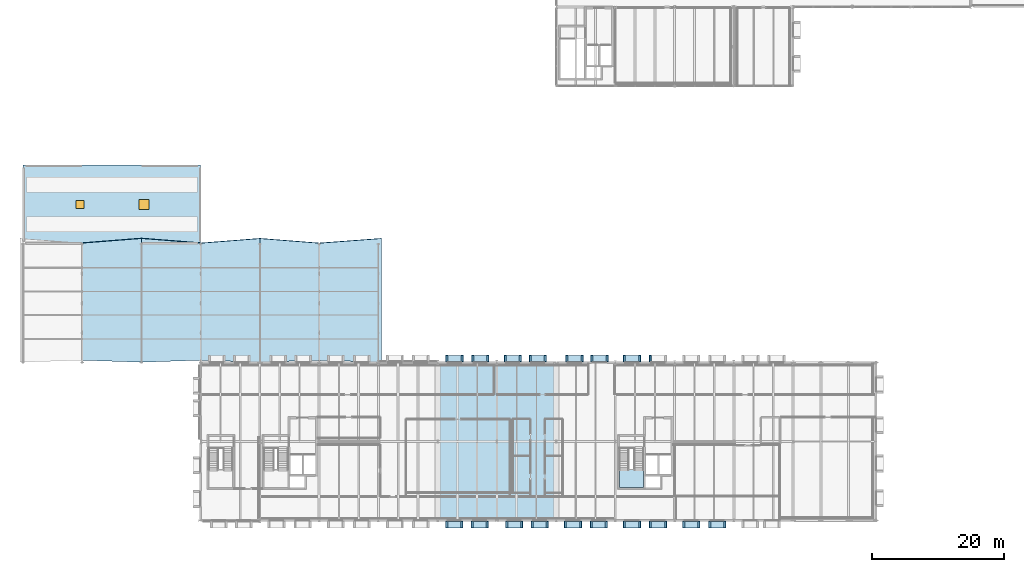
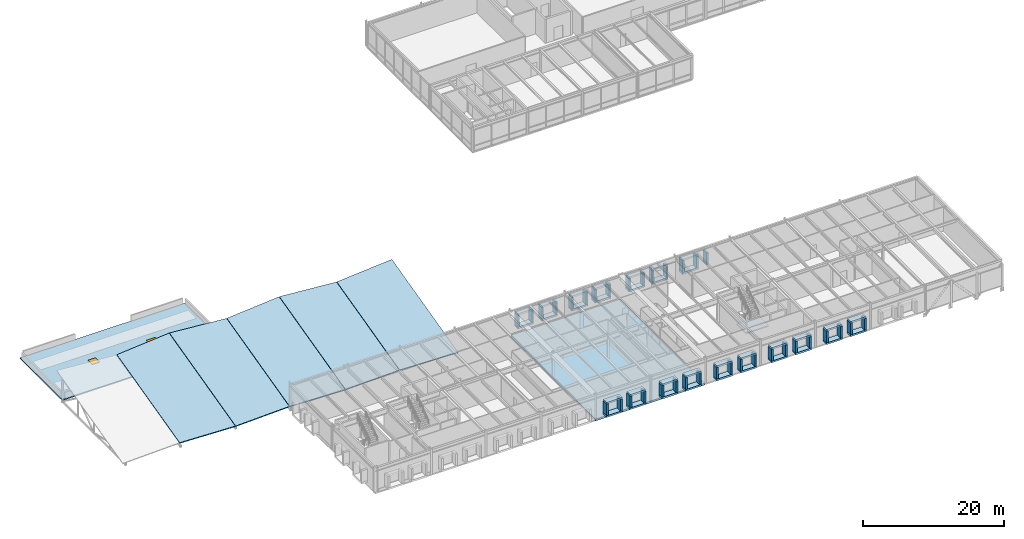
# One storey, part 42 of 67: 69 plates, 8 slabs, 2 windows, 2 openings, 2 elements without a shape of their own.
"""IFC4 building model written with IfcOpenShell, lengths in metres."""

from ifc_helpers import new_model, si_unit, direction, frame, origin, origin_2d, place, context, subcontext, project, spatial, polyline, rectangle, outline, extrude, material, layer, layer_set, type_object, element, fill, aggregate, save


model = new_model("IFC4")

# Units and contexts
model_context = context("Model", 3, precision=1e-05, world=origin(), true_north=direction((0.0, 1.0)))
body_context = subcontext(model_context, "Body", "Model", "MODEL_VIEW")
ifc_project = project(units=[si_unit("LENGTHUNIT", "METRE"), si_unit("AREAUNIT", "SQUARE_METRE"), si_unit("VOLUMEUNIT", "CUBIC_METRE"), si_unit("PLANEANGLEUNIT", "RADIAN"), si_unit("MASSUNIT", "GRAM", prefix="KILO")], contexts=[model_context])

# Site, building, storey
site_placement = place(None, origin())
site = spatial("IfcSite", under=ifc_project, at=site_placement, CompositionType="ELEMENT")
building_placement = place(site_placement, origin())
building = spatial("IfcBuilding", under=site, at=building_placement, Name="Montelvaro Courts of Justice", CompositionType="ELEMENT")
storey_placement = place(building_placement, frame((0.0, 0.0, 18.89990234375)))
storey = spatial("IfcBuildingStorey", under=building, at=storey_placement, Name="L04", CompositionType="ELEMENT", Elevation=18.89990234375)

# Slab
ifc_material_1 = material(Name="Concrete C35/45", Category="concrete")
ifc_layer_1 = layer(ifc_material_1, 0.320068359375)
ifc_layer_set_1 = layer_set([ifc_layer_1], Name="Concrete C35/45")
slab_type_1 = type_object("IfcSlabType", Name="FloorSlab_V5_320", PredefinedType="FLOOR", material=ifc_layer_set_1)
slab_1_placement = place(storey_placement, frame((0.0, 0.0, -0.31982421875)))
element("IfcSlab", 1, at=slab_1_placement, inside=storey, type_object=slab_type_1, Name="Structural Slab SF-05 L04", PredefinedType="FLOOR", context=body_context, shape_type="SweptSolid", body=[
    extrude(outline(polyline([(81.050048828125, 0.0), (98.949951171875, 0.0), (98.949951171875, 24.0), (81.050048828125, 24.0), (81.050048828125, 0.0)])), origin(), (0.0, 0.0, 1.0), 0.31982421875),
])

# Slab, openings, windows
ifc_layer_2 = layer(ifc_material_1, 0.199951171875)
ifc_layer_set_2 = layer_set([ifc_layer_2], Name="Concrete C35/45")
slab_type_2 = type_object("IfcSlabType", Name="HeadHouseRoof_200", PredefinedType="ROOF", material=ifc_layer_set_2)
slab_2_placement = place(storey_placement, frame((0.0, 0.0, -0.199951171875)))
slab_2 = element("IfcSlab", 2, at=slab_2_placement, inside=storey, type_object=slab_type_2, Name="Roof Slab SR-06 L04", PredefinedType="ROOF", context=body_context, shape_type="SweptSolid", body=[
    extrude(outline(polyline([(18.0, 42.0), (45.0, 42.0), (45.0, 54.0), (18.0, 54.0), (18.0, 42.0)])), origin(), (0.0, 0.0, 1.0), 0.199951171875),
])
opening_1_placement = place(slab_2_placement, frame((26.639892578125, 48.0, -0.014892578125)))
opening_1 = element("IfcOpeningElement", 3, at=opening_1_placement, cuts=slab_2, Name="Opening SK-01", PredefinedType="OPENING", context=body_context, shape_type="SweptSolid", body=[
    extrude(rectangle(XDim=1.199951171875, YDim=1.199951171875, at=origin_2d()), origin(), (0.0, 0.0, 1.0), 0.229736328125),
])
opening_2_placement = place(slab_2_placement, frame((36.360107421875, 48.0, -0.014892578125)))
opening_2 = element("IfcOpeningElement", 4, at=opening_2_placement, cuts=slab_2, Name="Opening SK-02", PredefinedType="OPENING", context=body_context, shape_type="SweptSolid", body=[
    extrude(rectangle(XDim=1.5, YDim=1.5, at=origin_2d()), origin(), (0.0, 0.0, 1.0), 0.229736328125),
])
ifc_material_2 = material(Name="Low-E solar control double glazing", Category="glass")
window_type_1 = type_object("IfcWindowType", Name="Skylight_120x120", PartitioningType="SINGLE_PANEL", PredefinedType="SKYLIGHT", material=ifc_material_2)
window_1_placement = place(slab_2_placement, frame((26.639892578125, 48.0, 0.14990234375)))
window_1 = element("IfcWindow", 5, at=window_1_placement, inside=storey, type_object=window_type_1, Name="Roof Skylight Hatch SK-01-3.1", OverallHeight=1.199951171875, OverallWidth=1.199951171875, PartitioningType="SINGLE_PANEL", PredefinedType="SKYLIGHT", context=body_context, shape_type="SweptSolid", body=[
    extrude(rectangle(XDim=1.199951171875, YDim=1.199951171875, at=origin_2d()), origin(), (0.0, 0.0, 1.0), 0.050048828125),
])
fill(opening_1, window_1)
window_type_2 = type_object("IfcWindowType", Name="Skylight_150x150", PartitioningType="SINGLE_PANEL", PredefinedType="SKYLIGHT", material=ifc_material_2)
window_2_placement = place(slab_2_placement, frame((36.360107421875, 48.0, 0.14990234375)))
window_2 = element("IfcWindow", 6, at=window_2_placement, inside=storey, type_object=window_type_2, Name="Roof Skylight Hatch SK-02-3.2", OverallHeight=1.5, OverallWidth=1.5, PartitioningType="SINGLE_PANEL", PredefinedType="SKYLIGHT", context=body_context, shape_type="SweptSolid", body=[
    extrude(rectangle(XDim=1.5, YDim=1.5, at=origin_2d()), origin(), (0.0, 0.0, 1.0), 0.050048828125),
])
fill(opening_2, window_2)

# Plates
ifc_material_3 = material(Name="White mineral precast concrete C45/55", Category="concrete")
ifc_layer_3 = layer(ifc_material_3, 0.300048828125)
ifc_layer_set_3 = layer_set([ifc_layer_3], Name="White mineral precast concrete C45/55")
plate_type = type_object("IfcPlateType", Name="PrecastSquareFrame_300x950", PredefinedType="SHEET", material=ifc_layer_set_3)
for number, where, z_axis, x_axis, name in (
    (7, (83.514892578125, -0.6201171875, 2.85009765625), (0.0, 0.0, 1.0), (1.0, 0.0, 0.0), "Graduated Square Window Frame PF-02 W-L04-209 TOP"),
    (8, (83.514892578125, -0.6201171875, 0.55029296875), (0.0, 0.0, 1.0), (1.0, 0.0, 0.0), "Graduated Square Window Frame PF-02 W-L04-209 BOT"),
):
    element("IfcPlate", number, at=place(storey_placement, frame(where, z_axis=z_axis, x_axis=x_axis)), inside=storey, type_object=plate_type, Name=name, PredefinedType="SHEET", context=body_context, shape_type="SweptSolid", body=[
        extrude(rectangle(XDim=2.60009765625, YDim=0.9599609375, at=origin_2d()), origin(), (0.0, 0.0, 1.0), 0.300048828125),
    ])
for number, where, z_axis, x_axis, name in (
    (9, (82.364990234375, -0.6201171875, 0.85009765625), (0.0, 0.0, 1.0), (1.0, 0.0, 0.0), "Graduated Square Window Frame PF-02 W-L04-209 L"),
    (10, (84.6650390625, -0.6201171875, 0.85009765625), (0.0, 0.0, 1.0), (1.0, 0.0, 0.0), "Graduated Square Window Frame PF-02 W-L04-209 R"),
):
    element("IfcPlate", number, at=place(storey_placement, frame(where, z_axis=z_axis, x_axis=x_axis)), inside=storey, type_object=plate_type, Name=name, PredefinedType="SHEET", context=body_context, shape_type="SweptSolid", body=[
        extrude(rectangle(XDim=0.300048828125, YDim=0.9599609375, at=origin_2d()), origin(), (0.0, 0.0, 1.0), 2.0),
    ])
for number, where, z_axis, x_axis, name in (
    (11, (87.375, -0.6201171875, 2.85009765625), (0.0, 0.0, 1.0), (1.0, 0.0, 0.0), "Graduated Square Window Frame PF-02 W-L04-210 TOP"),
    (12, (87.375, -0.6201171875, 0.55029296875), (0.0, 0.0, 1.0), (1.0, 0.0, 0.0), "Graduated Square Window Frame PF-02 W-L04-210 BOT"),
):
    element("IfcPlate", number, at=place(storey_placement, frame(where, z_axis=z_axis, x_axis=x_axis)), inside=storey, type_object=plate_type, Name=name, PredefinedType="SHEET", context=body_context, shape_type="SweptSolid", body=[
        extrude(rectangle(XDim=2.60009765625, YDim=0.9599609375, at=origin_2d()), origin(), (0.0, 0.0, 1.0), 0.300048828125),
    ])
for number, where, z_axis, x_axis, name in (
    (13, (86.22509765625, -0.6201171875, 0.85009765625), (0.0, 0.0, 1.0), (1.0, 0.0, 0.0), "Graduated Square Window Frame PF-02 W-L04-210 L"),
    (14, (88.52490234375, -0.6201171875, 0.85009765625), (0.0, 0.0, 1.0), (1.0, 0.0, 0.0), "Graduated Square Window Frame PF-02 W-L04-210 R"),
):
    element("IfcPlate", number, at=place(storey_placement, frame(where, z_axis=z_axis, x_axis=x_axis)), inside=storey, type_object=plate_type, Name=name, PredefinedType="SHEET", context=body_context, shape_type="SweptSolid", body=[
        extrude(rectangle(XDim=0.300048828125, YDim=0.9599609375, at=origin_2d()), origin(), (0.0, 0.0, 1.0), 2.0),
    ])
for number, where, z_axis, x_axis, name in (
    (15, (92.625, -0.6201171875, 2.85009765625), (0.0, 0.0, 1.0), (1.0, 0.0, 0.0), "Graduated Square Window Frame PF-02 W-L04-211 TOP"),
    (16, (92.625, -0.6201171875, 0.55029296875), (0.0, 0.0, 1.0), (1.0, 0.0, 0.0), "Graduated Square Window Frame PF-02 W-L04-211 BOT"),
):
    element("IfcPlate", number, at=place(storey_placement, frame(where, z_axis=z_axis, x_axis=x_axis)), inside=storey, type_object=plate_type, Name=name, PredefinedType="SHEET", context=body_context, shape_type="SweptSolid", body=[
        extrude(rectangle(XDim=2.60009765625, YDim=0.9599609375, at=origin_2d()), origin(), (0.0, 0.0, 1.0), 0.300048828125),
    ])
for number, where, z_axis, x_axis, name in (
    (17, (91.47509765625, -0.6201171875, 0.85009765625), (0.0, 0.0, 1.0), (1.0, 0.0, 0.0), "Graduated Square Window Frame PF-02 W-L04-211 L"),
    (18, (93.77490234375, -0.6201171875, 0.85009765625), (0.0, 0.0, 1.0), (1.0, 0.0, 0.0), "Graduated Square Window Frame PF-02 W-L04-211 R"),
):
    element("IfcPlate", number, at=place(storey_placement, frame(where, z_axis=z_axis, x_axis=x_axis)), inside=storey, type_object=plate_type, Name=name, PredefinedType="SHEET", context=body_context, shape_type="SweptSolid", body=[
        extrude(rectangle(XDim=0.300048828125, YDim=0.9599609375, at=origin_2d()), origin(), (0.0, 0.0, 1.0), 2.0),
    ])
for number, where, z_axis, x_axis, name in (
    (19, (96.485107421875, -0.6201171875, 2.85009765625), (0.0, 0.0, 1.0), (1.0, 0.0, 0.0), "Graduated Square Window Frame PF-02 W-L04-212 TOP"),
    (20, (96.485107421875, -0.6201171875, 0.55029296875), (0.0, 0.0, 1.0), (1.0, 0.0, 0.0), "Graduated Square Window Frame PF-02 W-L04-212 BOT"),
):
    element("IfcPlate", number, at=place(storey_placement, frame(where, z_axis=z_axis, x_axis=x_axis)), inside=storey, type_object=plate_type, Name=name, PredefinedType="SHEET", context=body_context, shape_type="SweptSolid", body=[
        extrude(rectangle(XDim=2.60009765625, YDim=0.9599609375, at=origin_2d()), origin(), (0.0, 0.0, 1.0), 0.300048828125),
    ])
for number, where, z_axis, x_axis, name in (
    (21, (95.3349609375, -0.6201171875, 0.85009765625), (0.0, 0.0, 1.0), (1.0, 0.0, 0.0), "Graduated Square Window Frame PF-02 W-L04-212 L"),
    (22, (97.635009765625, -0.6201171875, 0.85009765625), (0.0, 0.0, 1.0), (1.0, 0.0, 0.0), "Graduated Square Window Frame PF-02 W-L04-212 R"),
):
    element("IfcPlate", number, at=place(storey_placement, frame(where, z_axis=z_axis, x_axis=x_axis)), inside=storey, type_object=plate_type, Name=name, PredefinedType="SHEET", context=body_context, shape_type="SweptSolid", body=[
        extrude(rectangle(XDim=0.300048828125, YDim=0.9599609375, at=origin_2d()), origin(), (0.0, 0.0, 1.0), 2.0),
    ])
for number, where, z_axis, x_axis, name in (
    (23, (96.214111328125, 24.6201171875, 2.85009765625), (0.0, 0.0, 1.0), (-1.0, 0.0, 0.0), "Graduated Square Window Frame PF-02 W-L04-213 TOP"),
    (24, (96.214111328125, 24.6201171875, 0.55029296875), (0.0, 0.0, 1.0), (-1.0, 0.0, 0.0), "Graduated Square Window Frame PF-02 W-L04-213 BOT"),
):
    element("IfcPlate", number, at=place(storey_placement, frame(where, z_axis=z_axis, x_axis=x_axis)), inside=storey, type_object=plate_type, Name=name, PredefinedType="SHEET", context=body_context, shape_type="SweptSolid", body=[
        extrude(rectangle(XDim=2.60009765625, YDim=0.9599609375, at=origin_2d()), origin(), (0.0, 0.0, 1.0), 0.300048828125),
    ])
for number, where, z_axis, x_axis, name in (
    (25, (97.364013671875, 24.6201171875, 0.85009765625), (0.0, 0.0, 1.0), (-1.0, 0.0, 0.0), "Graduated Square Window Frame PF-02 W-L04-213 L"),
    (26, (95.06396484375, 24.6201171875, 0.85009765625), (0.0, 0.0, 1.0), (-1.0, 0.0, 0.0), "Graduated Square Window Frame PF-02 W-L04-213 R"),
):
    element("IfcPlate", number, at=place(storey_placement, frame(where, z_axis=z_axis, x_axis=x_axis)), inside=storey, type_object=plate_type, Name=name, PredefinedType="SHEET", context=body_context, shape_type="SweptSolid", body=[
        extrude(rectangle(XDim=0.300048828125, YDim=0.9599609375, at=origin_2d()), origin(), (0.0, 0.0, 1.0), 2.0),
    ])
for number, where, z_axis, x_axis, name in (
    (27, (92.4208984375, 24.6201171875, 2.85009765625), (0.0, 0.0, 1.0), (-1.0, 0.0, 0.0), "Graduated Square Window Frame PF-02 W-L04-214 TOP"),
    (28, (92.4208984375, 24.6201171875, 0.55029296875), (0.0, 0.0, 1.0), (-1.0, 0.0, 0.0), "Graduated Square Window Frame PF-02 W-L04-214 BOT"),
):
    element("IfcPlate", number, at=place(storey_placement, frame(where, z_axis=z_axis, x_axis=x_axis)), inside=storey, type_object=plate_type, Name=name, PredefinedType="SHEET", context=body_context, shape_type="SweptSolid", body=[
        extrude(rectangle(XDim=2.60009765625, YDim=0.9599609375, at=origin_2d()), origin(), (0.0, 0.0, 1.0), 0.300048828125),
    ])
for number, where, z_axis, x_axis, name in (
    (29, (93.571044921875, 24.6201171875, 0.85009765625), (0.0, 0.0, 1.0), (-1.0, 0.0, 0.0), "Graduated Square Window Frame PF-02 W-L04-214 L"),
    (30, (91.27099609375, 24.6201171875, 0.85009765625), (0.0, 0.0, 1.0), (-1.0, 0.0, 0.0), "Graduated Square Window Frame PF-02 W-L04-214 R"),
):
    element("IfcPlate", number, at=place(storey_placement, frame(where, z_axis=z_axis, x_axis=x_axis)), inside=storey, type_object=plate_type, Name=name, PredefinedType="SHEET", context=body_context, shape_type="SweptSolid", body=[
        extrude(rectangle(XDim=0.300048828125, YDim=0.9599609375, at=origin_2d()), origin(), (0.0, 0.0, 1.0), 2.0),
    ])
for number, where, z_axis, x_axis, name in (
    (31, (87.489990234375, 24.6201171875, 2.85009765625), (0.0, 0.0, 1.0), (-1.0, 0.0, 0.0), "Graduated Square Window Frame PF-02 W-L04-215 TOP"),
    (32, (87.489990234375, 24.6201171875, 0.55029296875), (0.0, 0.0, 1.0), (-1.0, 0.0, 0.0), "Graduated Square Window Frame PF-02 W-L04-215 BOT"),
):
    element("IfcPlate", number, at=place(storey_placement, frame(where, z_axis=z_axis, x_axis=x_axis)), inside=storey, type_object=plate_type, Name=name, PredefinedType="SHEET", context=body_context, shape_type="SweptSolid", body=[
        extrude(rectangle(XDim=2.60009765625, YDim=0.9599609375, at=origin_2d()), origin(), (0.0, 0.0, 1.0), 0.300048828125),
    ])
for number, where, z_axis, x_axis, name in (
    (33, (88.639892578125, 24.6201171875, 0.85009765625), (0.0, 0.0, 1.0), (-1.0, 0.0, 0.0), "Graduated Square Window Frame PF-02 W-L04-215 L"),
    (34, (86.340087890625, 24.6201171875, 0.85009765625), (0.0, 0.0, 1.0), (-1.0, 0.0, 0.0), "Graduated Square Window Frame PF-02 W-L04-215 R"),
):
    element("IfcPlate", number, at=place(storey_placement, frame(where, z_axis=z_axis, x_axis=x_axis)), inside=storey, type_object=plate_type, Name=name, PredefinedType="SHEET", context=body_context, shape_type="SweptSolid", body=[
        extrude(rectangle(XDim=0.300048828125, YDim=0.9599609375, at=origin_2d()), origin(), (0.0, 0.0, 1.0), 2.0),
    ])
for number, where, z_axis, x_axis, name in (
    (35, (83.56005859375, 24.6201171875, 2.85009765625), (0.0, 0.0, 1.0), (-1.0, 0.0, 0.0), "Graduated Square Window Frame PF-02 W-L04-216 TOP"),
    (36, (83.56005859375, 24.6201171875, 0.55029296875), (0.0, 0.0, 1.0), (-1.0, 0.0, 0.0), "Graduated Square Window Frame PF-02 W-L04-216 BOT"),
):
    element("IfcPlate", number, at=place(storey_placement, frame(where, z_axis=z_axis, x_axis=x_axis)), inside=storey, type_object=plate_type, Name=name, PredefinedType="SHEET", context=body_context, shape_type="SweptSolid", body=[
        extrude(rectangle(XDim=2.60009765625, YDim=0.9599609375, at=origin_2d()), origin(), (0.0, 0.0, 1.0), 0.300048828125),
    ])
for number, where, z_axis, x_axis, name in (
    (37, (84.7099609375, 24.6201171875, 0.85009765625), (0.0, 0.0, 1.0), (-1.0, 0.0, 0.0), "Graduated Square Window Frame PF-02 W-L04-216 L"),
    (38, (82.409912109375, 24.6201171875, 0.85009765625), (0.0, 0.0, 1.0), (-1.0, 0.0, 0.0), "Graduated Square Window Frame PF-02 W-L04-216 R"),
):
    element("IfcPlate", number, at=place(storey_placement, frame(where, z_axis=z_axis, x_axis=x_axis)), inside=storey, type_object=plate_type, Name=name, PredefinedType="SHEET", context=body_context, shape_type="SweptSolid", body=[
        extrude(rectangle(XDim=0.300048828125, YDim=0.9599609375, at=origin_2d()), origin(), (0.0, 0.0, 1.0), 2.0),
    ])
for number, where, z_axis, x_axis, name in (
    (39, (101.56005859375, -0.6201171875, 2.85009765625), (0.0, 0.0, 1.0), (1.0, 0.0, 0.0), "Graduated Square Window Frame PF-02 W-L04-217 TOP"),
    (40, (101.56005859375, -0.6201171875, 0.55029296875), (0.0, 0.0, 1.0), (1.0, 0.0, 0.0), "Graduated Square Window Frame PF-02 W-L04-217 BOT"),
):
    element("IfcPlate", number, at=place(storey_placement, frame(where, z_axis=z_axis, x_axis=x_axis)), inside=storey, type_object=plate_type, Name=name, PredefinedType="SHEET", context=body_context, shape_type="SweptSolid", body=[
        extrude(rectangle(XDim=2.60009765625, YDim=0.9599609375, at=origin_2d()), origin(), (0.0, 0.0, 1.0), 0.300048828125),
    ])
for number, where, z_axis, x_axis, name in (
    (41, (100.409912109375, -0.6201171875, 0.85009765625), (0.0, 0.0, 1.0), (1.0, 0.0, 0.0), "Graduated Square Window Frame PF-02 W-L04-217 L"),
    (42, (102.7099609375, -0.6201171875, 0.85009765625), (0.0, 0.0, 1.0), (1.0, 0.0, 0.0), "Graduated Square Window Frame PF-02 W-L04-217 R"),
):
    element("IfcPlate", number, at=place(storey_placement, frame(where, z_axis=z_axis, x_axis=x_axis)), inside=storey, type_object=plate_type, Name=name, PredefinedType="SHEET", context=body_context, shape_type="SweptSolid", body=[
        extrude(rectangle(XDim=0.300048828125, YDim=0.9599609375, at=origin_2d()), origin(), (0.0, 0.0, 1.0), 2.0),
    ])
for number, where, z_axis, x_axis, name in (
    (43, (105.489990234375, -0.6201171875, 2.85009765625), (0.0, 0.0, 1.0), (1.0, 0.0, 0.0), "Graduated Square Window Frame PF-02 W-L04-218 TOP"),
    (44, (105.489990234375, -0.6201171875, 0.55029296875), (0.0, 0.0, 1.0), (1.0, 0.0, 0.0), "Graduated Square Window Frame PF-02 W-L04-218 BOT"),
):
    element("IfcPlate", number, at=place(storey_placement, frame(where, z_axis=z_axis, x_axis=x_axis)), inside=storey, type_object=plate_type, Name=name, PredefinedType="SHEET", context=body_context, shape_type="SweptSolid", body=[
        extrude(rectangle(XDim=2.60009765625, YDim=0.9599609375, at=origin_2d()), origin(), (0.0, 0.0, 1.0), 0.300048828125),
    ])
for number, where, z_axis, x_axis, name in (
    (45, (104.340087890625, -0.6201171875, 0.85009765625), (0.0, 0.0, 1.0), (1.0, 0.0, 0.0), "Graduated Square Window Frame PF-02 W-L04-218 L"),
    (46, (106.639892578125, -0.6201171875, 0.85009765625), (0.0, 0.0, 1.0), (1.0, 0.0, 0.0), "Graduated Square Window Frame PF-02 W-L04-218 R"),
):
    element("IfcPlate", number, at=place(storey_placement, frame(where, z_axis=z_axis, x_axis=x_axis)), inside=storey, type_object=plate_type, Name=name, PredefinedType="SHEET", context=body_context, shape_type="SweptSolid", body=[
        extrude(rectangle(XDim=0.300048828125, YDim=0.9599609375, at=origin_2d()), origin(), (0.0, 0.0, 1.0), 2.0),
    ])
for number, where, z_axis, x_axis, name in (
    (47, (110.52392578125, -0.6201171875, 2.85009765625), (0.0, 0.0, 1.0), (1.0, 0.0, 0.0), "Graduated Square Window Frame PF-02 W-L04-219 TOP"),
    (48, (110.52392578125, -0.6201171875, 0.55029296875), (0.0, 0.0, 1.0), (1.0, 0.0, 0.0), "Graduated Square Window Frame PF-02 W-L04-219 BOT"),
):
    element("IfcPlate", number, at=place(storey_placement, frame(where, z_axis=z_axis, x_axis=x_axis)), inside=storey, type_object=plate_type, Name=name, PredefinedType="SHEET", context=body_context, shape_type="SweptSolid", body=[
        extrude(rectangle(XDim=2.60009765625, YDim=0.9599609375, at=origin_2d()), origin(), (0.0, 0.0, 1.0), 0.300048828125),
    ])
for number, where, z_axis, x_axis, name in (
    (49, (109.3740234375, -0.6201171875, 0.85009765625), (0.0, 0.0, 1.0), (1.0, 0.0, 0.0), "Graduated Square Window Frame PF-02 W-L04-219 L"),
    (50, (111.674072265625, -0.6201171875, 0.85009765625), (0.0, 0.0, 1.0), (1.0, 0.0, 0.0), "Graduated Square Window Frame PF-02 W-L04-219 R"),
):
    element("IfcPlate", number, at=place(storey_placement, frame(where, z_axis=z_axis, x_axis=x_axis)), inside=storey, type_object=plate_type, Name=name, PredefinedType="SHEET", context=body_context, shape_type="SweptSolid", body=[
        extrude(rectangle(XDim=0.300048828125, YDim=0.9599609375, at=origin_2d()), origin(), (0.0, 0.0, 1.0), 2.0),
    ])
for number, where, z_axis, x_axis, name in (
    (51, (114.47607421875, -0.6201171875, 2.85009765625), (0.0, 0.0, 1.0), (1.0, 0.0, 0.0), "Graduated Square Window Frame PF-02 W-L04-220 TOP"),
    (52, (114.47607421875, -0.6201171875, 0.55029296875), (0.0, 0.0, 1.0), (1.0, 0.0, 0.0), "Graduated Square Window Frame PF-02 W-L04-220 BOT"),
):
    element("IfcPlate", number, at=place(storey_placement, frame(where, z_axis=z_axis, x_axis=x_axis)), inside=storey, type_object=plate_type, Name=name, PredefinedType="SHEET", context=body_context, shape_type="SweptSolid", body=[
        extrude(rectangle(XDim=2.60009765625, YDim=0.9599609375, at=origin_2d()), origin(), (0.0, 0.0, 1.0), 0.300048828125),
    ])
for number, where, z_axis, x_axis, name in (
    (53, (113.325927734375, -0.6201171875, 0.85009765625), (0.0, 0.0, 1.0), (1.0, 0.0, 0.0), "Graduated Square Window Frame PF-02 W-L04-220 L"),
    (54, (115.6259765625, -0.6201171875, 0.85009765625), (0.0, 0.0, 1.0), (1.0, 0.0, 0.0), "Graduated Square Window Frame PF-02 W-L04-220 R"),
):
    element("IfcPlate", number, at=place(storey_placement, frame(where, z_axis=z_axis, x_axis=x_axis)), inside=storey, type_object=plate_type, Name=name, PredefinedType="SHEET", context=body_context, shape_type="SweptSolid", body=[
        extrude(rectangle(XDim=0.300048828125, YDim=0.9599609375, at=origin_2d()), origin(), (0.0, 0.0, 1.0), 2.0),
    ])
for number, where, z_axis, x_axis, name in (
    (55, (119.52392578125, -0.6201171875, 2.85009765625), (0.0, 0.0, 1.0), (1.0, 0.0, 0.0), "Graduated Square Window Frame PF-02 W-L04-221 TOP"),
    (56, (119.52392578125, -0.6201171875, 0.55029296875), (0.0, 0.0, 1.0), (1.0, 0.0, 0.0), "Graduated Square Window Frame PF-02 W-L04-221 BOT"),
):
    element("IfcPlate", number, at=place(storey_placement, frame(where, z_axis=z_axis, x_axis=x_axis)), inside=storey, type_object=plate_type, Name=name, PredefinedType="SHEET", context=body_context, shape_type="SweptSolid", body=[
        extrude(rectangle(XDim=2.60009765625, YDim=0.9599609375, at=origin_2d()), origin(), (0.0, 0.0, 1.0), 0.300048828125),
    ])
for number, where, z_axis, x_axis, name in (
    (57, (118.3740234375, -0.6201171875, 0.85009765625), (0.0, 0.0, 1.0), (1.0, 0.0, 0.0), "Graduated Square Window Frame PF-02 W-L04-221 L"),
    (58, (120.674072265625, -0.6201171875, 0.85009765625), (0.0, 0.0, 1.0), (1.0, 0.0, 0.0), "Graduated Square Window Frame PF-02 W-L04-221 R"),
):
    element("IfcPlate", number, at=place(storey_placement, frame(where, z_axis=z_axis, x_axis=x_axis)), inside=storey, type_object=plate_type, Name=name, PredefinedType="SHEET", context=body_context, shape_type="SweptSolid", body=[
        extrude(rectangle(XDim=0.300048828125, YDim=0.9599609375, at=origin_2d()), origin(), (0.0, 0.0, 1.0), 2.0),
    ])
for number, where, z_axis, x_axis, name in (
    (59, (123.47607421875, -0.6201171875, 2.85009765625), (0.0, 0.0, 1.0), (1.0, 0.0, 0.0), "Graduated Square Window Frame PF-02 W-L04-222 TOP"),
    (60, (123.47607421875, -0.6201171875, 0.55029296875), (0.0, 0.0, 1.0), (1.0, 0.0, 0.0), "Graduated Square Window Frame PF-02 W-L04-222 BOT"),
):
    element("IfcPlate", number, at=place(storey_placement, frame(where, z_axis=z_axis, x_axis=x_axis)), inside=storey, type_object=plate_type, Name=name, PredefinedType="SHEET", context=body_context, shape_type="SweptSolid", body=[
        extrude(rectangle(XDim=2.60009765625, YDim=0.9599609375, at=origin_2d()), origin(), (0.0, 0.0, 1.0), 0.300048828125),
    ])
for number, where, z_axis, x_axis, name in (
    (61, (122.325927734375, -0.6201171875, 0.85009765625), (0.0, 0.0, 1.0), (1.0, 0.0, 0.0), "Graduated Square Window Frame PF-02 W-L04-222 L"),
    (62, (124.6259765625, -0.6201171875, 0.85009765625), (0.0, 0.0, 1.0), (1.0, 0.0, 0.0), "Graduated Square Window Frame PF-02 W-L04-222 R"),
    (63, (113.325927734375, 24.6201171875, 0.85009765625), (0.0, 0.0, 1.0), (-1.0, 0.0, 0.0), "Graduated Square Window Frame PF-02 W-L04-233 R"),
):
    element("IfcPlate", number, at=place(storey_placement, frame(where, z_axis=z_axis, x_axis=x_axis)), inside=storey, type_object=plate_type, Name=name, PredefinedType="SHEET", context=body_context, shape_type="SweptSolid", body=[
        extrude(rectangle(XDim=0.300048828125, YDim=0.9599609375, at=origin_2d()), origin(), (0.0, 0.0, 1.0), 2.0),
    ])
for number, where, z_axis, x_axis, name in (
    (64, (110.52392578125, 24.6201171875, 2.85009765625), (0.0, 0.0, 1.0), (-1.0, 0.0, 0.0), "Graduated Square Window Frame PF-02 W-L04-234 TOP"),
    (65, (110.52392578125, 24.6201171875, 0.55029296875), (0.0, 0.0, 1.0), (-1.0, 0.0, 0.0), "Graduated Square Window Frame PF-02 W-L04-234 BOT"),
):
    element("IfcPlate", number, at=place(storey_placement, frame(where, z_axis=z_axis, x_axis=x_axis)), inside=storey, type_object=plate_type, Name=name, PredefinedType="SHEET", context=body_context, shape_type="SweptSolid", body=[
        extrude(rectangle(XDim=2.60009765625, YDim=0.9599609375, at=origin_2d()), origin(), (0.0, 0.0, 1.0), 0.300048828125),
    ])
for number, where, z_axis, x_axis, name in (
    (66, (111.674072265625, 24.6201171875, 0.85009765625), (0.0, 0.0, 1.0), (-1.0, 0.0, 0.0), "Graduated Square Window Frame PF-02 W-L04-234 L"),
    (67, (109.3740234375, 24.6201171875, 0.85009765625), (0.0, 0.0, 1.0), (-1.0, 0.0, 0.0), "Graduated Square Window Frame PF-02 W-L04-234 R"),
):
    element("IfcPlate", number, at=place(storey_placement, frame(where, z_axis=z_axis, x_axis=x_axis)), inside=storey, type_object=plate_type, Name=name, PredefinedType="SHEET", context=body_context, shape_type="SweptSolid", body=[
        extrude(rectangle(XDim=0.300048828125, YDim=0.9599609375, at=origin_2d()), origin(), (0.0, 0.0, 1.0), 2.0),
    ])
for number, where, z_axis, x_axis, name in (
    (68, (105.5791015625, 24.6201171875, 2.85009765625), (0.0, 0.0, 1.0), (-1.0, 0.0, 0.0), "Graduated Square Window Frame PF-02 W-L04-235 TOP"),
    (69, (105.5791015625, 24.6201171875, 0.55029296875), (0.0, 0.0, 1.0), (-1.0, 0.0, 0.0), "Graduated Square Window Frame PF-02 W-L04-235 BOT"),
):
    element("IfcPlate", number, at=place(storey_placement, frame(where, z_axis=z_axis, x_axis=x_axis)), inside=storey, type_object=plate_type, Name=name, PredefinedType="SHEET", context=body_context, shape_type="SweptSolid", body=[
        extrude(rectangle(XDim=2.60009765625, YDim=0.9599609375, at=origin_2d()), origin(), (0.0, 0.0, 1.0), 0.300048828125),
    ])
for number, where, z_axis, x_axis, name in (
    (70, (106.72900390625, 24.6201171875, 0.85009765625), (0.0, 0.0, 1.0), (-1.0, 0.0, 0.0), "Graduated Square Window Frame PF-02 W-L04-235 L"),
    (71, (104.428955078125, 24.6201171875, 0.85009765625), (0.0, 0.0, 1.0), (-1.0, 0.0, 0.0), "Graduated Square Window Frame PF-02 W-L04-235 R"),
):
    element("IfcPlate", number, at=place(storey_placement, frame(where, z_axis=z_axis, x_axis=x_axis)), inside=storey, type_object=plate_type, Name=name, PredefinedType="SHEET", context=body_context, shape_type="SweptSolid", body=[
        extrude(rectangle(XDim=0.300048828125, YDim=0.9599609375, at=origin_2d()), origin(), (0.0, 0.0, 1.0), 2.0),
    ])
for number, where, z_axis, x_axis, name in (
    (72, (101.785888671875, 24.6201171875, 2.85009765625), (0.0, 0.0, 1.0), (-1.0, 0.0, 0.0), "Graduated Square Window Frame PF-02 W-L04-236 TOP"),
    (73, (101.785888671875, 24.6201171875, 0.55029296875), (0.0, 0.0, 1.0), (-1.0, 0.0, 0.0), "Graduated Square Window Frame PF-02 W-L04-236 BOT"),
):
    element("IfcPlate", number, at=place(storey_placement, frame(where, z_axis=z_axis, x_axis=x_axis)), inside=storey, type_object=plate_type, Name=name, PredefinedType="SHEET", context=body_context, shape_type="SweptSolid", body=[
        extrude(rectangle(XDim=2.60009765625, YDim=0.9599609375, at=origin_2d()), origin(), (0.0, 0.0, 1.0), 0.300048828125),
    ])
for number, where, z_axis, x_axis, name in (
    (74, (102.93603515625, 24.6201171875, 0.85009765625), (0.0, 0.0, 1.0), (-1.0, 0.0, 0.0), "Graduated Square Window Frame PF-02 W-L04-236 L"),
    (75, (100.635986328125, 24.6201171875, 0.85009765625), (0.0, 0.0, 1.0), (-1.0, 0.0, 0.0), "Graduated Square Window Frame PF-02 W-L04-236 R"),
):
    element("IfcPlate", number, at=place(storey_placement, frame(where, z_axis=z_axis, x_axis=x_axis)), inside=storey, type_object=plate_type, Name=name, PredefinedType="SHEET", context=body_context, shape_type="SweptSolid", body=[
        extrude(rectangle(XDim=0.300048828125, YDim=0.9599609375, at=origin_2d()), origin(), (0.0, 0.0, 1.0), 2.0),
    ])

# Roof, slabs
ifc_material_4 = material(Name="Precast concrete C45/55", Category="concrete")
ifc_layer_4 = layer(ifc_material_4, 0.199951171875)
ifc_layer_set_4 = layer_set([ifc_layer_4], Name="Precast concrete C45/55")
roof_type = type_object("IfcRoofType", Name="GableNorthLightRoof", PredefinedType="GABLE_ROOF", material=ifc_layer_set_4)
roof_placement = place(storey_placement, origin())
roof = element("IfcRoof", 76, at=roof_placement, inside=storey, type_object=roof_type, Name="Law Library Raked North-Light Reading Roof V3", PredefinedType="GABLE_ROOF")
ifc_layer_5 = layer(ifc_material_4, 0.179931640625)
ifc_layer_set_5 = layer_set([ifc_layer_5], Name="Precast concrete C45/55")
slab_type_3 = type_object("IfcSlabType", Name="RoofSlab_V3_180", PredefinedType="ROOF", material=ifc_layer_set_5)
slab_3_placement = place(storey_placement, frame((27.02001953125, 24.35009765625, 0.087646484375), z_axis=(-3.340427e-06, -0.242534102359, 0.970142880808), x_axis=(0.999404829829, -0.033467028476, -0.008363260125)))
slab_3 = element("IfcSlab", 77, at=slab_3_placement, type_object=slab_type_3, Name="V3 Raked Clerestory Roof Slab 2", PredefinedType="ROOF", context=body_context, shape_type="SweptSolid", body=[
    extrude(outline(polyline([(0.0, 0.0), (8.965296814836709, -6.938893903907228e-18), (8.296808131125585, 19.367098384549355), (-0.6329226695423639, 18.33669875519497), (0.0, 0.0)])), origin(), (0.0, 0.0, -1.0), 0.179931640625),
])
slab_4_placement = place(storey_placement, frame((36.02001953125, 24.050048828125, 0.0126953125), z_axis=(3.340427e-06, -0.242534102359, 0.970142880808), x_axis=(0.999404829829, 0.033467028476, 0.008363260125)))
slab_4 = element("IfcSlab", 78, at=slab_4_placement, type_object=slab_type_3, Name="V3 Raked Clerestory Roof Slab 3", PredefinedType="ROOF", context=body_context, shape_type="SweptSolid", body=[
    extrude(outline(polyline([(0.0, 0.0), (8.965296814836709, 6.938893903907228e-18), (9.598219484379072, 18.336698755194966), (0.6684886837111227, 19.367098384549355), (0.0, 0.0)])), origin(), (0.0, 0.0, -1.0), 0.179931640625),
])
slab_5_placement = place(storey_placement, frame((45.02001953125, 24.35009765625, 0.087646484375), z_axis=(-3.340427e-06, -0.242534102359, 0.970142880808), x_axis=(0.999404829829, -0.033467028476, -0.008363260125)))
slab_5 = element("IfcSlab", 79, at=slab_5_placement, type_object=slab_type_3, Name="V3 Raked Clerestory Roof Slab 4", PredefinedType="ROOF", context=body_context, shape_type="SweptSolid", body=[
    extrude(outline(polyline([(0.0, 0.0), (8.965296814836709, -6.938893903907228e-18), (8.296808131125585, 19.367098384549355), (-0.6329226695423639, 18.33669875519497), (0.0, 0.0)])), origin(), (0.0, 0.0, -1.0), 0.179931640625),
])
slab_6_placement = place(storey_placement, frame((54.02001953125, 24.050048828125, 0.0126953125), z_axis=(3.340427e-06, -0.242534102359, 0.970142880808), x_axis=(0.999404829829, 0.033467028476, 0.008363260125)))
slab_6 = element("IfcSlab", 80, at=slab_6_placement, type_object=slab_type_3, Name="V3 Raked Clerestory Roof Slab 5", PredefinedType="ROOF", context=body_context, shape_type="SweptSolid", body=[
    extrude(outline(polyline([(0.0, 0.0), (8.965296814836709, 6.938893903907228e-18), (9.598219484379072, 18.336698755194966), (0.6684886837111227, 19.367098384549355), (0.0, 0.0)])), origin(), (0.0, 0.0, -1.0), 0.179931640625),
])
slab_7_placement = place(storey_placement, frame((63.02001953125, 24.35009765625, 0.087646484375), z_axis=(-3.173946e-06, -0.242534102359, 0.970142880808), x_axis=(0.999462629305, -0.031800931495, -0.007946909972)))
slab_7 = element("IfcSlab", 81, at=slab_7_placement, type_object=slab_type_3, Name="V3 Raked Clerestory Roof Slab 6", PredefinedType="ROOF", context=body_context, shape_type="SweptSolid", body=[
    extrude(outline(polyline([(0.0, 0.0), (9.435001734152243, 5.204170427930421e-17), (8.799792580439435, 19.36821845932412), (-0.601413730825981, 18.337759237942986), (0.0, 0.0)])), origin(), (0.0, 0.0, -1.0), 0.179931640625),
])
aggregate(roof, [slab_3, slab_4, slab_5, slab_6, slab_7])

# Stair, slab
stair_type = type_object("IfcStairType", Name="ProtectedStair_145", PredefinedType="HALF_TURN_STAIR", material=ifc_material_1)
stair_placement = place(storey_placement, origin())
stair = element("IfcStair", 82, at=stair_placement, inside=storey, type_object=stair_type, Name="Protected Stair ST-K2-L04", PredefinedType="HALF_TURN_STAIR")
ifc_layer_6 = layer(ifc_material_1, 0.199951171875)
ifc_layer_set_6 = layer_set([ifc_layer_6], Name="Concrete C35/45")
slab_type_4 = type_object("IfcSlabType", Name="StairLanding_200", PredefinedType="LANDING", material=ifc_layer_set_6)
slab_8_placement = place(storey_placement, frame((0.0, 0.0, 2.050048828125)))
slab_8 = element("IfcSlab", 83, at=slab_8_placement, type_object=slab_type_4, Name="ST-K2-L04 landing 1", PredefinedType="LANDING", context=body_context, shape_type="SweptSolid", body=[
    extrude(outline(polyline([(108.60009765625, 5.0), (112.300048828125, 5.0), (112.300048828125, 7.735107421875), (108.60009765625, 7.735107421875), (108.60009765625, 5.0)])), origin(), (0.0, 0.0, 1.0), 0.199951171875),
])
aggregate(stair, [slab_8])

save(model, "model.ifc")
